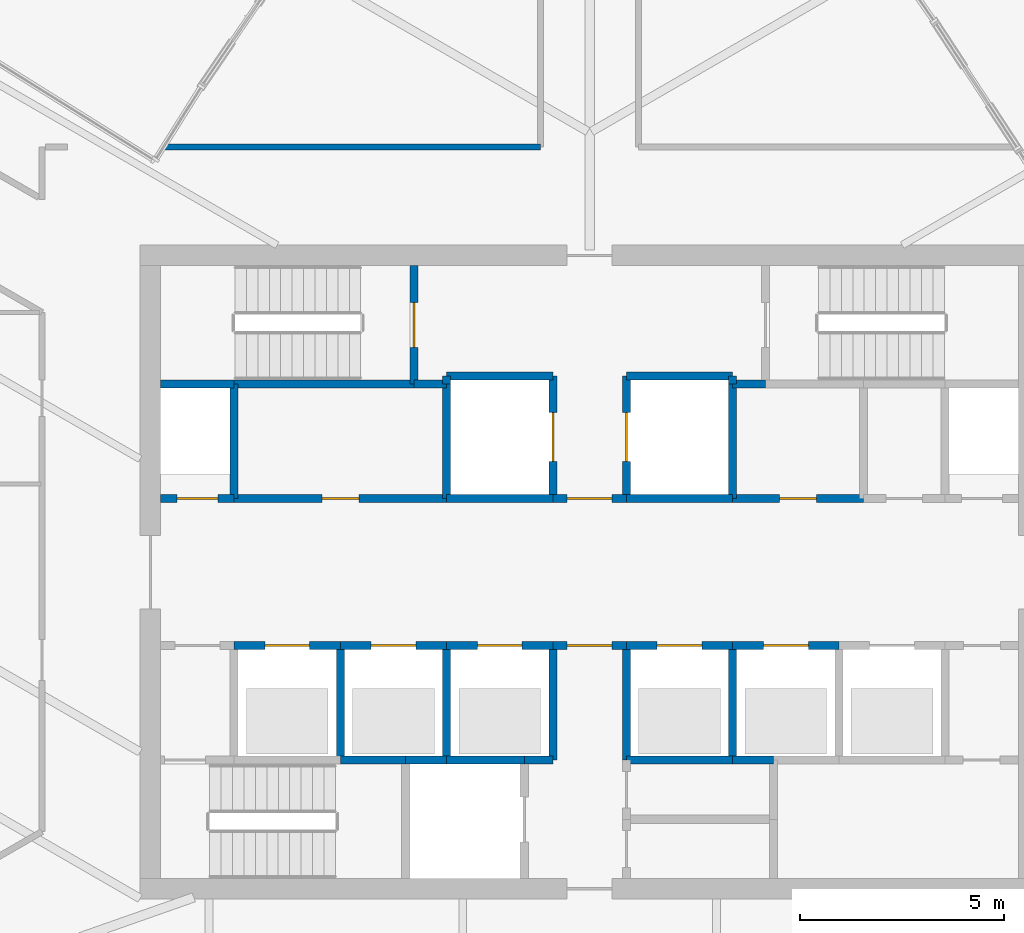
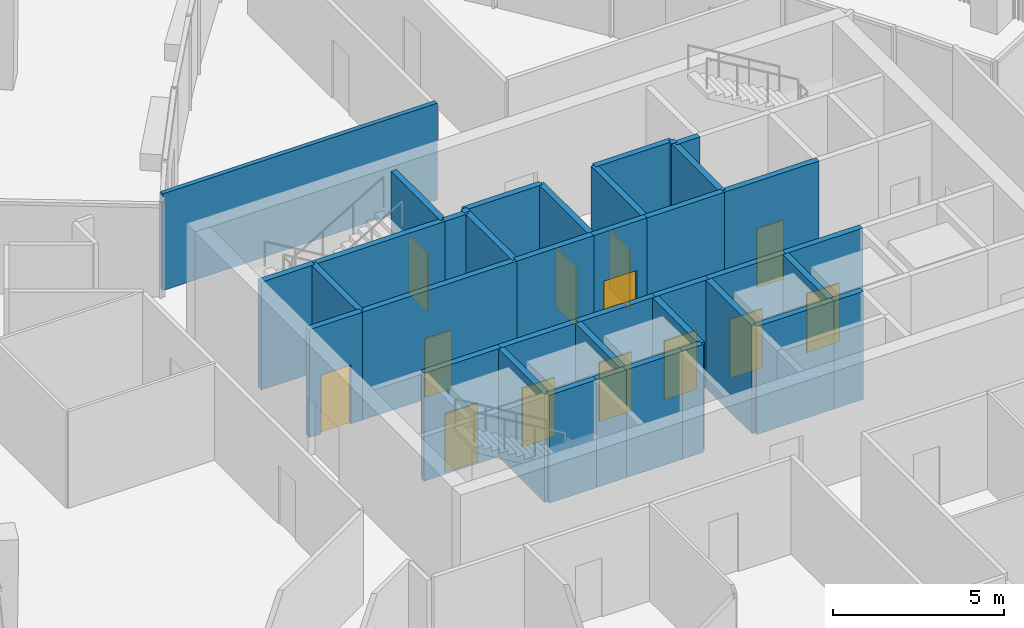
# One storey, part 11 of 18: 38 walls, 13 doors, 13 openings.
"""IFC4 building model written with IfcOpenShell, lengths in metres."""

from ifc_helpers import new_model, si_unit, direction, frame, frame_2d, origin, place, context, subcontext, project, spatial, rectangle, extrude, material, layer, layer_set, type_object, element, fill, save


model = new_model("IFC4")

# Units and contexts
model_context = context("Model", 3, precision=1e-05, world=origin(), true_north=direction((0.0, 1.0)))
body_context = subcontext(model_context, "Body", "Model", "MODEL_VIEW")
ifc_project = project(units=[si_unit("LENGTHUNIT", "METRE"), si_unit("AREAUNIT", "SQUARE_METRE"), si_unit("VOLUMEUNIT", "CUBIC_METRE"), si_unit("PLANEANGLEUNIT", "RADIAN"), si_unit("MASSUNIT", "GRAM", prefix="KILO")], contexts=[model_context])

# Site, building, storey
site_placement = place(None, origin())
site = spatial("IfcSite", under=ifc_project, at=site_placement, CompositionType="ELEMENT")
building_placement = place(site_placement, origin())
building = spatial("IfcBuilding", under=site, at=building_placement, Name="Sierra Prisma Convention Tower", CompositionType="ELEMENT")
storey_placement = place(building_placement, frame((0.0, 0.0, 307.0)))
storey = spatial("IfcBuildingStorey", under=building, at=storey_placement, Name="L70", CompositionType="ELEMENT", Elevation=307.0)

# Wall, opening, door
ifc_material_1 = material(Name="Concrete C30/37", Category="concrete")
ifc_layer_1 = layer(ifc_material_1, 0.199951171875)
ifc_layer_set_1 = layer_set([ifc_layer_1], Name="Core wall RC 200 C30/37")
wall_type_1 = type_object("IfcWallType", Name="Core wall RC 200 C30/37", PredefinedType="SOLIDWALL", material=ifc_layer_set_1)
wall_1_placement = place(storey_placement, frame((-8.699951171875, 1.800048828125, 0.0), z_axis=(0.0, 0.0, 1.0), x_axis=(-1.0, 0.0, 0.0)))
wall_1 = element("IfcWall", 1, at=wall_1_placement, inside=storey, type_object=wall_type_1, Name="Core wall L70 3", PredefinedType="SOLIDWALL", context=body_context, shape_type="SweptSolid", body=[
    extrude(rectangle(XDim=1.800048828125, YDim=0.199951171875, at=frame_2d((0.89990234375, 0.0))), origin(), (0.0, 0.0, 1.0), 3.85009765625),
])
opening_1_placement = place(wall_1_placement, frame((0.39990234375, 0.0, 0.0)))
opening_1 = element("IfcOpeningElement", 2, at=opening_1_placement, cuts=wall_1, Name="Opening L70-D015", PredefinedType="OPENING", context=body_context, shape_type="SweptSolid", body=[
    extrude(rectangle(XDim=1.0, YDim=2.10009765625, at=frame_2d((0.5, 1.050048828125))), frame((0.0, 0.10009765625, 0.0), z_axis=(0.0, -1.0, 0.0), x_axis=(1.0, 0.0, 0.0)), (0.0, 0.0, 1.0), 0.199951171875),
])
ifc_material_2 = material(Name="Steel fire door leaf", Category="steel")
door_type_1 = type_object("IfcDoorType", Name="Door 1000x2100 FD60S", OperationType="SINGLE_SWING_LEFT", PredefinedType="DOOR", material=ifc_material_2)
door_1_placement = place(opening_1_placement, origin())
door_1 = element("IfcDoor", 3, at=door_1_placement, inside=storey, type_object=door_type_1, Name="Door L70 25", OperationType="SINGLE_SWING_LEFT", OverallHeight=2.10009765625, OverallWidth=1.0, PredefinedType="DOOR", context=body_context, shape_type="SweptSolid", body=[
    extrude(rectangle(XDim=1.0, YDim=2.10009765625, at=frame_2d((0.5, 1.050048828125))), frame((0.0, 0.02490234375, 0.0), z_axis=(0.0, -1.0, 0.0), x_axis=(1.0, 0.0, 0.0)), (0.0, 0.0, 1.0), 0.050048828125),
])
fill(opening_1, door_1)

# Wall
wall_2_placement = place(storey_placement, frame((-8.699951171875, 4.60009765625, 0.0), z_axis=(0.0, 0.0, 1.0), x_axis=(-1.0, 0.0, 0.0)))
element("IfcWall", 4, at=wall_2_placement, inside=storey, type_object=wall_type_1, Name="Core wall L70 4", PredefinedType="SOLIDWALL", context=body_context, shape_type="SweptSolid", body=[
    extrude(rectangle(XDim=1.800048828125, YDim=0.199951171875, at=frame_2d((0.89990234375, 0.0))), origin(), (0.0, 0.0, 1.0), 3.85009765625),
])

# Wall, opening, door
wall_3_placement = place(storey_placement, frame((-8.699951171875, -1.800048828125, 0.0), z_axis=(0.0, 0.0, 1.0), x_axis=(1.0, 0.0, 0.0)))
wall_3 = element("IfcWall", 5, at=wall_3_placement, inside=storey, type_object=wall_type_1, Name="Core wall L70 7", PredefinedType="SOLIDWALL", context=body_context, shape_type="SweptSolid", body=[
    extrude(rectangle(XDim=2.599853515625, YDim=0.199951171875, at=frame_2d((1.2998046875, 0.0))), origin(), (0.0, 0.0, 1.0), 3.85009765625),
])
opening_2_placement = place(wall_3_placement, frame((0.75, 0.0, 0.0)))
opening_2 = element("IfcOpeningElement", 6, at=opening_2_placement, cuts=wall_3, Name="Opening L70-D003", PredefinedType="OPENING", context=body_context, shape_type="SweptSolid", body=[
    extrude(rectangle(XDim=1.10009765625, YDim=2.10009765625, at=frame_2d((0.550048828125, 1.050048828125))), frame((0.0, 0.10009765625, 0.0), z_axis=(0.0, -1.0, 0.0), x_axis=(1.0, 0.0, 0.0)), (0.0, 0.0, 1.0), 0.199951171875),
])
ifc_material_3 = material(Name="Steel fire door leaf", Category="steel")
door_type_2 = type_object("IfcDoorType", Name="Door 1100x2100 EI 90 sliding lift landing", OperationType="SLIDING_TO_LEFT", PredefinedType="DOOR", material=ifc_material_3)
door_2_placement = place(opening_2_placement, origin())
door_2 = element("IfcDoor", 7, at=door_2_placement, inside=storey, type_object=door_type_2, Name="Door L70 13", OperationType="SLIDING_TO_RIGHT", OverallHeight=2.10009765625, OverallWidth=1.10009765625, PredefinedType="DOOR", context=body_context, shape_type="SweptSolid", body=[
    extrude(rectangle(XDim=1.10009765625, YDim=2.10009765625, at=frame_2d((0.550048828125, 1.050048828125))), frame((0.0, 0.02490234375, 0.0), z_axis=(0.0, -1.0, 0.0), x_axis=(1.0, 0.0, 0.0)), (0.0, 0.0, 1.0), 0.050048828125),
])
fill(opening_2, door_2)

wall_4_placement = place(storey_placement, frame((-8.699951171875, 1.800048828125, 0.0), z_axis=(0.0, 0.0, 1.0), x_axis=(1.0, 0.0, 0.0)))
wall_4 = element("IfcWall", 8, at=wall_4_placement, inside=storey, type_object=wall_type_1, Name="Core wall L70 8", PredefinedType="SOLIDWALL", context=body_context, shape_type="SweptSolid", body=[
    extrude(rectangle(XDim=5.199951171875, YDim=0.199951171875, at=frame_2d((2.60009765625, 0.0))), origin(), (0.0, 0.0, 1.0), 3.85009765625),
])
opening_3_placement = place(wall_4_placement, frame((2.14990234375, 0.0, 0.0)))
opening_3 = element("IfcOpeningElement", 9, at=opening_3_placement, cuts=wall_4, Name="Opening L70-D022", PredefinedType="OPENING", context=body_context, shape_type="SweptSolid", body=[
    extrude(rectangle(XDim=0.89990234375, YDim=2.10009765625, at=frame_2d((0.449951171875, 1.050048828125))), frame((0.0, 0.10009765625, 0.0), z_axis=(0.0, -1.0, 0.0), x_axis=(1.0, 0.0, 0.0)), (0.0, 0.0, 1.0), 0.199951171875),
])
ifc_material_4 = material(Name="Steel fire door leaf", Category="steel")
door_type_3 = type_object("IfcDoorType", Name="Door 900x2100 FD30S", OperationType="SINGLE_SWING_LEFT", PredefinedType="DOOR", material=ifc_material_4)
door_3_placement = place(opening_3_placement, origin())
door_3 = element("IfcDoor", 10, at=door_3_placement, inside=storey, type_object=door_type_3, Name="Door L70 32", OperationType="SINGLE_SWING_LEFT", OverallHeight=2.10009765625, OverallWidth=0.89990234375, PredefinedType="DOOR", context=body_context, shape_type="SweptSolid", body=[
    extrude(rectangle(XDim=0.89990234375, YDim=2.10009765625, at=frame_2d((0.449951171875, 1.050048828125))), frame((0.0, 0.02490234375, 0.0), z_axis=(0.0, -1.0, 0.0), x_axis=(1.0, 0.0, 0.0)), (0.0, 0.0, 1.0), 0.050048828125),
])
fill(opening_3, door_3)

# Walls
wall_5_placement = place(storey_placement, frame((-8.699951171875, 4.60009765625, 0.0), z_axis=(0.0, 0.0, 1.0), x_axis=(0.0, -1.0, 0.0)))
element("IfcWall", 11, at=wall_5_placement, inside=storey, type_object=wall_type_1, Name="Core wall L70 9", PredefinedType="SOLIDWALL", context=body_context, shape_type="SweptSolid", body=[
    extrude(rectangle(XDim=2.800048828125, YDim=0.199951171875, at=frame_2d((1.39990234375, 0.0))), origin(), (0.0, 0.0, 1.0), 3.85009765625),
])
wall_6_placement = place(storey_placement, frame((-4.300048828125, 4.60009765625, 0.0), z_axis=(0.0, 0.0, 1.0), x_axis=(-1.0, 0.0, 0.0)))
element("IfcWall", 12, at=wall_6_placement, inside=storey, type_object=wall_type_1, Name="Core wall L70 10", PredefinedType="SOLIDWALL", context=body_context, shape_type="SweptSolid", body=[
    extrude(rectangle(XDim=4.39990234375, YDim=0.199951171875, at=frame_2d((2.199951171875, 0.0))), origin(), (0.0, 0.0, 1.0), 3.85009765625),
])
wall_7_placement = place(storey_placement, frame((-6.10009765625, -4.60009765625, 0.0), z_axis=(0.0, 0.0, 1.0), x_axis=(1.0, 0.0, 0.0)))
element("IfcWall", 13, at=wall_7_placement, inside=storey, type_object=wall_type_1, Name="Core wall L70 11", PredefinedType="SOLIDWALL", context=body_context, shape_type="SweptSolid", body=[
    extrude(rectangle(XDim=1.60009765625, YDim=0.199951171875, at=frame_2d((0.800048828125, 0.0))), origin(), (0.0, 0.0, 1.0), 3.85009765625),
])
wall_8_placement = place(storey_placement, frame((-6.10009765625, -4.60009765625, 0.0), z_axis=(0.0, 0.0, 1.0), x_axis=(0.0, 1.0, 0.0)))
element("IfcWall", 14, at=wall_8_placement, inside=storey, type_object=wall_type_1, Name="Core wall L70 12", PredefinedType="SOLIDWALL", context=body_context, shape_type="SweptSolid", body=[
    extrude(rectangle(XDim=2.800048828125, YDim=0.199951171875, at=frame_2d((1.39990234375, 0.0))), origin(), (0.0, 0.0, 1.0), 3.85009765625),
])

# Wall, opening, door
wall_9_placement = place(storey_placement, frame((-6.10009765625, -1.800048828125, 0.0), z_axis=(0.0, 0.0, 1.0), x_axis=(1.0, 0.0, 0.0)))
wall_9 = element("IfcWall", 15, at=wall_9_placement, inside=storey, type_object=wall_type_1, Name="Core wall L70 13", PredefinedType="SOLIDWALL", context=body_context, shape_type="SweptSolid", body=[
    extrude(rectangle(XDim=2.60009765625, YDim=0.199951171875, at=frame_2d((1.300048828125, 0.0))), origin(), (0.0, 0.0, 1.0), 3.85009765625),
])
opening_4_placement = place(wall_9_placement, frame((0.75, 0.0, 0.0)))
opening_4 = element("IfcOpeningElement", 16, at=opening_4_placement, cuts=wall_9, Name="Opening L70-D004", PredefinedType="OPENING", context=body_context, shape_type="SweptSolid", body=[
    extrude(rectangle(XDim=1.10009765625, YDim=2.10009765625, at=frame_2d((0.550048828125, 1.050048828125))), frame((0.0, 0.10009765625, 0.0), z_axis=(0.0, -1.0, 0.0), x_axis=(1.0, 0.0, 0.0)), (0.0, 0.0, 1.0), 0.199951171875),
])
door_4_placement = place(opening_4_placement, origin())
door_4 = element("IfcDoor", 17, at=door_4_placement, inside=storey, type_object=door_type_2, Name="Door L70 14", OperationType="SLIDING_TO_LEFT", OverallHeight=2.10009765625, OverallWidth=1.10009765625, PredefinedType="DOOR", context=body_context, shape_type="SweptSolid", body=[
    extrude(rectangle(XDim=1.10009765625, YDim=2.10009765625, at=frame_2d((0.550048828125, 1.050048828125))), frame((0.0, 0.02490234375, 0.0), z_axis=(0.0, -1.0, 0.0), x_axis=(1.0, 0.0, 0.0)), (0.0, 0.0, 1.0), 0.050048828125),
])
fill(opening_4, door_4)

# Walls
wall_10_placement = place(storey_placement, frame((-4.5, -4.60009765625, 0.0), z_axis=(0.0, 0.0, 1.0), x_axis=(1.0, 0.0, 0.0)))
element("IfcWall", 18, at=wall_10_placement, inside=storey, type_object=wall_type_1, Name="Core wall L70 15", PredefinedType="SOLIDWALL", context=body_context, shape_type="SweptSolid", body=[
    extrude(rectangle(XDim=1.0, YDim=0.199951171875, at=frame_2d((0.5, 0.0))), origin(), (0.0, 0.0, 1.0), 3.85009765625),
])
wall_11_placement = place(storey_placement, frame((-3.5, 4.60009765625, 0.0), z_axis=(0.0, 0.0, 1.0), x_axis=(-1.0, 0.0, 0.0)))
element("IfcWall", 19, at=wall_11_placement, inside=storey, type_object=wall_type_1, Name="Core wall L70 16", PredefinedType="SOLIDWALL", context=body_context, shape_type="SweptSolid", body=[
    extrude(rectangle(XDim=0.800048828125, YDim=0.199951171875, at=frame_2d((0.39990234375, 0.0))), origin(), (0.0, 0.0, 1.0), 3.85009765625),
])

# Wall, opening, door
wall_12_placement = place(storey_placement, frame((-4.300048828125, 4.60009765625, 0.0), z_axis=(0.0, 0.0, 1.0), x_axis=(0.0, 1.0, 0.0)))
wall_12 = element("IfcWall", 20, at=wall_12_placement, inside=storey, type_object=wall_type_1, Name="Core wall L70 17", PredefinedType="SOLIDWALL", context=body_context, shape_type="SweptSolid", body=[
    extrude(rectangle(XDim=2.89990234375, YDim=0.199951171875, at=frame_2d((1.449951171875, 0.0))), origin(), (0.0, 0.0, 1.0), 3.85009765625),
])
opening_5_placement = place(wall_12_placement, frame((0.89990234375, 0.0, 0.0)))
opening_5 = element("IfcOpeningElement", 21, at=opening_5_placement, cuts=wall_12, Name="Opening L70-D018", PredefinedType="OPENING", context=body_context, shape_type="SweptSolid", body=[
    extrude(rectangle(XDim=1.10009765625, YDim=2.10009765625, at=frame_2d((0.550048828125, 1.050048828125))), frame((0.0, 0.10009765625, 0.0), z_axis=(0.0, -1.0, 0.0), x_axis=(1.0, 0.0, 0.0)), (0.0, 0.0, 1.0), 0.199951171875),
])
ifc_material_5 = material(Name="Steel fire door leaf", Category="steel")
door_type_4 = type_object("IfcDoorType", Name="Door 1100x2100 FD90S", OperationType="SINGLE_SWING_LEFT", PredefinedType="DOOR", material=ifc_material_5)
door_5_placement = place(opening_5_placement, origin())
door_5 = element("IfcDoor", 22, at=door_5_placement, inside=storey, type_object=door_type_4, Name="Door L70 28", OperationType="SINGLE_SWING_RIGHT", OverallHeight=2.10009765625, OverallWidth=1.10009765625, PredefinedType="DOOR", context=body_context, shape_type="SweptSolid", body=[
    extrude(rectangle(XDim=1.10009765625, YDim=2.10009765625, at=frame_2d((0.550048828125, 1.050048828125))), frame((0.0, 0.02490234375, 0.0), z_axis=(0.0, -1.0, 0.0), x_axis=(1.0, 0.0, 0.0)), (0.0, 0.0, 1.0), 0.050048828125),
])
fill(opening_5, door_5)

# Walls
wall_13_placement = place(storey_placement, frame((-3.5, -4.60009765625, 0.0), z_axis=(0.0, 0.0, 1.0), x_axis=(1.0, 0.0, 0.0)))
element("IfcWall", 23, at=wall_13_placement, inside=storey, type_object=wall_type_1, Name="Core wall L70 18", PredefinedType="SOLIDWALL", context=body_context, shape_type="SweptSolid", body=[
    extrude(rectangle(XDim=1.89990234375, YDim=0.199951171875, at=frame_2d((0.949951171875, 0.0))), origin(), (0.0, 0.0, 1.0), 3.85009765625),
])
wall_14_placement = place(storey_placement, frame((-3.5, -4.60009765625, 0.0), z_axis=(0.0, 0.0, 1.0), x_axis=(0.0, 1.0, 0.0)))
element("IfcWall", 24, at=wall_14_placement, inside=storey, type_object=wall_type_1, Name="Core wall L70 19", PredefinedType="SOLIDWALL", context=body_context, shape_type="SweptSolid", body=[
    extrude(rectangle(XDim=2.800048828125, YDim=0.199951171875, at=frame_2d((1.39990234375, 0.0))), origin(), (0.0, 0.0, 1.0), 3.85009765625),
])

# Wall, opening, door
wall_15_placement = place(storey_placement, frame((-3.5, -1.800048828125, 0.0), z_axis=(0.0, 0.0, 1.0), x_axis=(1.0, 0.0, 0.0)))
wall_15 = element("IfcWall", 25, at=wall_15_placement, inside=storey, type_object=wall_type_1, Name="Core wall L70 20", PredefinedType="SOLIDWALL", context=body_context, shape_type="SweptSolid", body=[
    extrude(rectangle(XDim=2.60009765625, YDim=0.199951171875, at=frame_2d((1.300048828125, 0.0))), origin(), (0.0, 0.0, 1.0), 3.85009765625),
])
opening_6_placement = place(wall_15_placement, frame((0.75, 0.0, 0.0)))
opening_6 = element("IfcOpeningElement", 26, at=opening_6_placement, cuts=wall_15, Name="Opening L70-D005", PredefinedType="OPENING", context=body_context, shape_type="SweptSolid", body=[
    extrude(rectangle(XDim=1.10009765625, YDim=2.10009765625, at=frame_2d((0.550048828125, 1.050048828125))), frame((0.0, 0.10009765625, 0.0), z_axis=(0.0, -1.0, 0.0), x_axis=(1.0, 0.0, 0.0)), (0.0, 0.0, 1.0), 0.199951171875),
])
door_6_placement = place(opening_6_placement, origin())
door_6 = element("IfcDoor", 27, at=door_6_placement, inside=storey, type_object=door_type_2, Name="Door L70 15", OperationType="SLIDING_TO_RIGHT", OverallHeight=2.10009765625, OverallWidth=1.10009765625, PredefinedType="DOOR", context=body_context, shape_type="SweptSolid", body=[
    extrude(rectangle(XDim=1.10009765625, YDim=2.10009765625, at=frame_2d((0.550048828125, 1.050048828125))), frame((0.0, 0.02490234375, 0.0), z_axis=(0.0, -1.0, 0.0), x_axis=(1.0, 0.0, 0.0)), (0.0, 0.0, 1.0), 0.050048828125),
])
fill(opening_6, door_6)

# Walls
wall_16_placement = place(storey_placement, frame((-0.89990234375, 1.800048828125, 0.0), z_axis=(0.0, 0.0, 1.0), x_axis=(-1.0, 0.0, 0.0)))
element("IfcWall", 28, at=wall_16_placement, inside=storey, type_object=wall_type_1, Name="Core wall L70 21", PredefinedType="SOLIDWALL", context=body_context, shape_type="SweptSolid", body=[
    extrude(rectangle(XDim=2.60009765625, YDim=0.199951171875, at=frame_2d((1.300048828125, 0.0))), origin(), (0.0, 0.0, 1.0), 3.85009765625),
])
wall_17_placement = place(storey_placement, frame((-3.5, 1.800048828125, 0.0), z_axis=(0.0, 0.0, 1.0), x_axis=(0.0, 1.0, 0.0)))
element("IfcWall", 29, at=wall_17_placement, inside=storey, type_object=wall_type_1, Name="Core wall L70 22", PredefinedType="SOLIDWALL", context=body_context, shape_type="SweptSolid", body=[
    extrude(rectangle(XDim=2.800048828125, YDim=0.199951171875, at=frame_2d((1.39990234375, 0.0))), origin(), (0.0, 0.0, 1.0), 3.85009765625),
])

# Wall, opening, door
wall_18_placement = place(storey_placement, frame((-0.89990234375, 1.800048828125, 0.0), z_axis=(0.0, 0.0, 1.0), x_axis=(0.0, 1.0, 0.0)))
wall_18 = element("IfcWall", 30, at=wall_18_placement, inside=storey, type_object=wall_type_1, Name="Core wall L70 23", PredefinedType="SOLIDWALL", context=body_context, shape_type="SweptSolid", body=[
    extrude(rectangle(XDim=3.0, YDim=0.199951171875, at=frame_2d((1.5, 0.0))), origin(), (0.0, 0.0, 1.0), 3.85009765625),
])
opening_7_placement = place(wall_18_placement, frame((0.89990234375, 0.0, 0.0)))
opening_7 = element("IfcOpeningElement", 31, at=opening_7_placement, cuts=wall_18, Name="Opening L70-D009", PredefinedType="OPENING", context=body_context, shape_type="SweptSolid", body=[
    extrude(rectangle(XDim=1.199951171875, YDim=2.10009765625, at=frame_2d((0.60009765625, 1.050048828125))), frame((0.0, 0.10009765625, 0.0), z_axis=(0.0, -1.0, 0.0), x_axis=(1.0, 0.0, 0.0)), (0.0, 0.0, 1.0), 0.199951171875),
])
ifc_material_6 = material(Name="Steel fire door leaf", Category="steel")
door_type_5 = type_object("IfcDoorType", Name="Door 1200x2100 EI 90 sliding lift landing", OperationType="SLIDING_TO_LEFT", PredefinedType="DOOR", material=ifc_material_6)
door_7_placement = place(opening_7_placement, origin())
door_7 = element("IfcDoor", 32, at=door_7_placement, inside=storey, type_object=door_type_5, Name="Door L70 19", OperationType="SLIDING_TO_LEFT", OverallHeight=2.10009765625, OverallWidth=1.199951171875, PredefinedType="DOOR", context=body_context, shape_type="SweptSolid", body=[
    extrude(rectangle(XDim=1.199951171875, YDim=2.10009765625, at=frame_2d((0.60009765625, 1.050048828125))), frame((0.0, 0.02490234375, 0.0), z_axis=(0.0, -1.0, 0.0), x_axis=(1.0, 0.0, 0.0)), (0.0, 0.0, 1.0), 0.050048828125),
])
fill(opening_7, door_7)

# Walls
wall_19_placement = place(storey_placement, frame((-0.89990234375, 4.800048828125, 0.0), z_axis=(0.0, 0.0, 1.0), x_axis=(-1.0, 0.0, 0.0)))
element("IfcWall", 33, at=wall_19_placement, inside=storey, type_object=wall_type_1, Name="Core wall L70 24", PredefinedType="SOLIDWALL", context=body_context, shape_type="SweptSolid", body=[
    extrude(rectangle(XDim=2.60009765625, YDim=0.199951171875, at=frame_2d((1.300048828125, 0.0))), origin(), (0.0, 0.0, 1.0), 3.85009765625),
])
wall_20_placement = place(storey_placement, frame((-3.5, 4.800048828125, 0.0), z_axis=(0.0, 0.0, 1.0), x_axis=(0.0, -1.0, 0.0)))
element("IfcWall", 34, at=wall_20_placement, inside=storey, type_object=wall_type_1, Name="Core wall L70 25", PredefinedType="SOLIDWALL", context=body_context, shape_type="SweptSolid", body=[
    extrude(rectangle(XDim=0.199951171875, YDim=0.199951171875, at=frame_2d((0.10009765625, 0.0))), origin(), (0.0, 0.0, 1.0), 3.85009765625),
])
wall_21_placement = place(storey_placement, frame((-1.60009765625, -4.60009765625, 0.0), z_axis=(0.0, 0.0, 1.0), x_axis=(1.0, 0.0, 0.0)))
element("IfcWall", 35, at=wall_21_placement, inside=storey, type_object=wall_type_1, Name="Core wall L70 27", PredefinedType="SOLIDWALL", context=body_context, shape_type="SweptSolid", body=[
    extrude(rectangle(XDim=0.7001953125, YDim=0.199951171875, at=frame_2d((0.35009765625, 0.0))), origin(), (0.0, 0.0, 1.0), 3.85009765625),
])
wall_22_placement = place(storey_placement, frame((-0.89990234375, -4.60009765625, 0.0), z_axis=(0.0, 0.0, 1.0), x_axis=(0.0, 1.0, 0.0)))
element("IfcWall", 36, at=wall_22_placement, inside=storey, type_object=wall_type_1, Name="Core wall L70 28", PredefinedType="SOLIDWALL", context=body_context, shape_type="SweptSolid", body=[
    extrude(rectangle(XDim=2.800048828125, YDim=0.199951171875, at=frame_2d((1.39990234375, 0.0))), origin(), (0.0, 0.0, 1.0), 3.85009765625),
])

# Wall, opening, door
wall_23_placement = place(storey_placement, frame((-0.89990234375, -1.800048828125, 0.0), z_axis=(0.0, 0.0, 1.0), x_axis=(1.0, 0.0, 0.0)))
wall_23 = element("IfcWall", 37, at=wall_23_placement, inside=storey, type_object=wall_type_1, Name="Core wall L70 29", PredefinedType="SOLIDWALL", context=body_context, shape_type="SweptSolid", body=[
    extrude(rectangle(XDim=1.7998046875, YDim=0.199951171875, at=frame_2d((0.89990234375, 0.0))), origin(), (0.0, 0.0, 1.0), 3.85009765625),
])
opening_8_placement = place(wall_23_placement, frame((0.35009765625, 0.0, 0.0)))
opening_8 = element("IfcOpeningElement", 38, at=opening_8_placement, cuts=wall_23, Name="Opening L70-D014", PredefinedType="OPENING", context=body_context, shape_type="SweptSolid", body=[
    extrude(rectangle(XDim=1.10009765625, YDim=2.10009765625, at=frame_2d((0.550048828125, 1.050048828125))), frame((0.0, 0.10009765625, 0.0), z_axis=(0.0, -1.0, 0.0), x_axis=(1.0, 0.0, 0.0)), (0.0, 0.0, 1.0), 0.199951171875),
])
ifc_material_7 = material(Name="Steel fire door leaf", Category="steel")
door_type_6 = type_object("IfcDoorType", Name="Door 1100x2100 FD30S", OperationType="SINGLE_SWING_LEFT", PredefinedType="DOOR", material=ifc_material_7)
door_8_placement = place(opening_8_placement, origin())
door_8 = element("IfcDoor", 39, at=door_8_placement, inside=storey, type_object=door_type_6, Name="Door L70 24", OperationType="SINGLE_SWING_RIGHT", OverallHeight=2.10009765625, OverallWidth=1.10009765625, PredefinedType="DOOR", context=body_context, shape_type="SweptSolid", body=[
    extrude(rectangle(XDim=1.10009765625, YDim=2.10009765625, at=frame_2d((0.550048828125, 1.050048828125))), frame((0.0, 0.02490234375, 0.0), z_axis=(0.0, -1.0, 0.0), x_axis=(1.0, 0.0, 0.0)), (0.0, 0.0, 1.0), 0.050048828125),
])
fill(opening_8, door_8)

wall_24_placement = place(storey_placement, frame((0.89990234375, 1.800048828125, 0.0), z_axis=(0.0, 0.0, 1.0), x_axis=(-1.0, 0.0, 0.0)))
wall_24 = element("IfcWall", 40, at=wall_24_placement, inside=storey, type_object=wall_type_1, Name="Core wall L70 30", PredefinedType="SOLIDWALL", context=body_context, shape_type="SweptSolid", body=[
    extrude(rectangle(XDim=1.7998046875, YDim=0.199951171875, at=frame_2d((0.89990234375, 0.0))), origin(), (0.0, 0.0, 1.0), 3.85009765625),
])
opening_9_placement = place(wall_24_placement, frame((0.35009765625, 0.0, 0.0)))
opening_9 = element("IfcOpeningElement", 41, at=opening_9_placement, cuts=wall_24, Name="Opening L70-D013", PredefinedType="OPENING", context=body_context, shape_type="SweptSolid", body=[
    extrude(rectangle(XDim=1.10009765625, YDim=2.10009765625, at=frame_2d((0.550048828125, 1.050048828125))), frame((0.0, 0.10009765625, 0.0), z_axis=(0.0, -1.0, 0.0), x_axis=(1.0, 0.0, 0.0)), (0.0, 0.0, 1.0), 0.199951171875),
])
ifc_material_8 = material(Name="Steel fire door leaf", Category="steel")
door_type_7 = type_object("IfcDoorType", Name="Door 1100x2100 FD60S", OperationType="SINGLE_SWING_LEFT", PredefinedType="DOOR", material=ifc_material_8)
door_9_placement = place(opening_9_placement, origin())
door_9 = element("IfcDoor", 42, at=door_9_placement, inside=storey, type_object=door_type_7, Name="Door L70 23", OperationType="SINGLE_SWING_LEFT", OverallHeight=2.10009765625, OverallWidth=1.10009765625, PredefinedType="DOOR", context=body_context, shape_type="SweptSolid", body=[
    extrude(rectangle(XDim=1.10009765625, YDim=2.10009765625, at=frame_2d((0.550048828125, 1.050048828125))), frame((0.0, 0.02490234375, 0.0), z_axis=(0.0, -1.0, 0.0), x_axis=(1.0, 0.0, 0.0)), (0.0, 0.0, 1.0), 0.050048828125),
])
fill(opening_9, door_9)

# Walls
wall_25_placement = place(storey_placement, frame((3.5, -4.60009765625, 0.0), z_axis=(0.0, 0.0, 1.0), x_axis=(-1.0, 0.0, 0.0)))
element("IfcWall", 43, at=wall_25_placement, inside=storey, type_object=wall_type_1, Name="Core wall L70 34", PredefinedType="SOLIDWALL", context=body_context, shape_type="SweptSolid", body=[
    extrude(rectangle(XDim=2.60009765625, YDim=0.199951171875, at=frame_2d((1.300048828125, 0.0))), origin(), (0.0, 0.0, 1.0), 3.85009765625),
])
wall_26_placement = place(storey_placement, frame((0.89990234375, -1.800048828125, 0.0), z_axis=(0.0, 0.0, 1.0), x_axis=(0.0, -1.0, 0.0)))
element("IfcWall", 44, at=wall_26_placement, inside=storey, type_object=wall_type_1, Name="Core wall L70 35", PredefinedType="SOLIDWALL", context=body_context, shape_type="SweptSolid", body=[
    extrude(rectangle(XDim=2.800048828125, YDim=0.199951171875, at=frame_2d((1.39990234375, 0.0))), origin(), (0.0, 0.0, 1.0), 3.85009765625),
])

# Wall, opening, door
wall_27_placement = place(storey_placement, frame((0.89990234375, -1.800048828125, 0.0), z_axis=(0.0, 0.0, 1.0), x_axis=(1.0, 0.0, 0.0)))
wall_27 = element("IfcWall", 45, at=wall_27_placement, inside=storey, type_object=wall_type_1, Name="Core wall L70 36", PredefinedType="SOLIDWALL", context=body_context, shape_type="SweptSolid", body=[
    extrude(rectangle(XDim=2.60009765625, YDim=0.199951171875, at=frame_2d((1.300048828125, 0.0))), origin(), (0.0, 0.0, 1.0), 3.85009765625),
])
opening_10_placement = place(wall_27_placement, frame((0.75, 0.0, 0.0)))
opening_10 = element("IfcOpeningElement", 46, at=opening_10_placement, cuts=wall_27, Name="Opening L70-D006", PredefinedType="OPENING", context=body_context, shape_type="SweptSolid", body=[
    extrude(rectangle(XDim=1.10009765625, YDim=2.10009765625, at=frame_2d((0.550048828125, 1.050048828125))), frame((0.0, 0.10009765625, 0.0), z_axis=(0.0, -1.0, 0.0), x_axis=(1.0, 0.0, 0.0)), (0.0, 0.0, 1.0), 0.199951171875),
])
door_10_placement = place(opening_10_placement, origin())
door_10 = element("IfcDoor", 47, at=door_10_placement, inside=storey, type_object=door_type_2, Name="Door L70 16", OperationType="SLIDING_TO_LEFT", OverallHeight=2.10009765625, OverallWidth=1.10009765625, PredefinedType="DOOR", context=body_context, shape_type="SweptSolid", body=[
    extrude(rectangle(XDim=1.10009765625, YDim=2.10009765625, at=frame_2d((0.550048828125, 1.050048828125))), frame((0.0, 0.02490234375, 0.0), z_axis=(0.0, -1.0, 0.0), x_axis=(1.0, 0.0, 0.0)), (0.0, 0.0, 1.0), 0.050048828125),
])
fill(opening_10, door_10)

# Walls
wall_28_placement = place(storey_placement, frame((3.5, 1.800048828125, 0.0), z_axis=(0.0, 0.0, 1.0), x_axis=(-1.0, 0.0, 0.0)))
element("IfcWall", 48, at=wall_28_placement, inside=storey, type_object=wall_type_1, Name="Core wall L70 37", PredefinedType="SOLIDWALL", context=body_context, shape_type="SweptSolid", body=[
    extrude(rectangle(XDim=2.60009765625, YDim=0.199951171875, at=frame_2d((1.300048828125, 0.0))), origin(), (0.0, 0.0, 1.0), 3.85009765625),
])
wall_29_placement = place(storey_placement, frame((3.5, 4.60009765625, 0.0), z_axis=(0.0, 0.0, 1.0), x_axis=(0.0, 1.0, 0.0)))
element("IfcWall", 49, at=wall_29_placement, inside=storey, type_object=wall_type_1, Name="Core wall L70 38", PredefinedType="SOLIDWALL", context=body_context, shape_type="SweptSolid", body=[
    extrude(rectangle(XDim=0.199951171875, YDim=0.199951171875, at=frame_2d((0.10009765625, 0.0))), origin(), (0.0, 0.0, 1.0), 3.85009765625),
])
wall_30_placement = place(storey_placement, frame((3.5, 4.800048828125, 0.0), z_axis=(0.0, 0.0, 1.0), x_axis=(-1.0, 0.0, 0.0)))
element("IfcWall", 50, at=wall_30_placement, inside=storey, type_object=wall_type_1, Name="Core wall L70 39", PredefinedType="SOLIDWALL", context=body_context, shape_type="SweptSolid", body=[
    extrude(rectangle(XDim=2.60009765625, YDim=0.199951171875, at=frame_2d((1.300048828125, 0.0))), origin(), (0.0, 0.0, 1.0), 3.85009765625),
])

# Wall, opening, door
wall_31_placement = place(storey_placement, frame((0.89990234375, 4.800048828125, 0.0), z_axis=(0.0, 0.0, 1.0), x_axis=(0.0, -1.0, 0.0)))
wall_31 = element("IfcWall", 51, at=wall_31_placement, inside=storey, type_object=wall_type_1, Name="Core wall L70 40", PredefinedType="SOLIDWALL", context=body_context, shape_type="SweptSolid", body=[
    extrude(rectangle(XDim=3.0, YDim=0.199951171875, at=frame_2d((1.5, 0.0))), origin(), (0.0, 0.0, 1.0), 3.85009765625),
])
opening_11_placement = place(wall_31_placement, frame((0.89990234375, 0.0, 0.0)))
opening_11 = element("IfcOpeningElement", 52, at=opening_11_placement, cuts=wall_31, Name="Opening L70-D010", PredefinedType="OPENING", context=body_context, shape_type="SweptSolid", body=[
    extrude(rectangle(XDim=1.199951171875, YDim=2.10009765625, at=frame_2d((0.60009765625, 1.050048828125))), frame((0.0, 0.10009765625, 0.0), z_axis=(0.0, -1.0, 0.0), x_axis=(1.0, 0.0, 0.0)), (0.0, 0.0, 1.0), 0.199951171875),
])
door_11_placement = place(opening_11_placement, origin())
door_11 = element("IfcDoor", 53, at=door_11_placement, inside=storey, type_object=door_type_5, Name="Door L70 20", OperationType="SLIDING_TO_RIGHT", OverallHeight=2.10009765625, OverallWidth=1.199951171875, PredefinedType="DOOR", context=body_context, shape_type="SweptSolid", body=[
    extrude(rectangle(XDim=1.199951171875, YDim=2.10009765625, at=frame_2d((0.60009765625, 1.050048828125))), frame((0.0, 0.02490234375, 0.0), z_axis=(0.0, -1.0, 0.0), x_axis=(1.0, 0.0, 0.0)), (0.0, 0.0, 1.0), 0.050048828125),
])
fill(opening_11, door_11)

# Walls
wall_32_placement = place(storey_placement, frame((4.5, -4.60009765625, 0.0), z_axis=(0.0, 0.0, 1.0), x_axis=(-1.0, 0.0, 0.0)))
element("IfcWall", 54, at=wall_32_placement, inside=storey, type_object=wall_type_1, Name="Core wall L70 41", PredefinedType="SOLIDWALL", context=body_context, shape_type="SweptSolid", body=[
    extrude(rectangle(XDim=1.0, YDim=0.199951171875, at=frame_2d((0.5, 0.0))), origin(), (0.0, 0.0, 1.0), 3.85009765625),
])
wall_33_placement = place(storey_placement, frame((3.5, -4.60009765625, 0.0), z_axis=(0.0, 0.0, 1.0), x_axis=(0.0, 1.0, 0.0)))
element("IfcWall", 55, at=wall_33_placement, inside=storey, type_object=wall_type_1, Name="Core wall L70 42", PredefinedType="SOLIDWALL", context=body_context, shape_type="SweptSolid", body=[
    extrude(rectangle(XDim=2.800048828125, YDim=0.199951171875, at=frame_2d((1.39990234375, 0.0))), origin(), (0.0, 0.0, 1.0), 3.85009765625),
])

# Wall, opening, door
wall_34_placement = place(storey_placement, frame((3.5, -1.800048828125, 0.0), z_axis=(0.0, 0.0, 1.0), x_axis=(1.0, 0.0, 0.0)))
wall_34 = element("IfcWall", 56, at=wall_34_placement, inside=storey, type_object=wall_type_1, Name="Core wall L70 43", PredefinedType="SOLIDWALL", context=body_context, shape_type="SweptSolid", body=[
    extrude(rectangle(XDim=2.60009765625, YDim=0.199951171875, at=frame_2d((1.300048828125, 0.0))), origin(), (0.0, 0.0, 1.0), 3.85009765625),
])
opening_12_placement = place(wall_34_placement, frame((0.75, 0.0, 0.0)))
opening_12 = element("IfcOpeningElement", 57, at=opening_12_placement, cuts=wall_34, Name="Opening L70-D007", PredefinedType="OPENING", context=body_context, shape_type="SweptSolid", body=[
    extrude(rectangle(XDim=1.10009765625, YDim=2.10009765625, at=frame_2d((0.550048828125, 1.050048828125))), frame((0.0, 0.10009765625, 0.0), z_axis=(0.0, -1.0, 0.0), x_axis=(1.0, 0.0, 0.0)), (0.0, 0.0, 1.0), 0.199951171875),
])
door_12_placement = place(opening_12_placement, origin())
door_12 = element("IfcDoor", 58, at=door_12_placement, inside=storey, type_object=door_type_2, Name="Door L70 17", OperationType="SLIDING_TO_RIGHT", OverallHeight=2.10009765625, OverallWidth=1.10009765625, PredefinedType="DOOR", context=body_context, shape_type="SweptSolid", body=[
    extrude(rectangle(XDim=1.10009765625, YDim=2.10009765625, at=frame_2d((0.550048828125, 1.050048828125))), frame((0.0, 0.02490234375, 0.0), z_axis=(0.0, -1.0, 0.0), x_axis=(1.0, 0.0, 0.0)), (0.0, 0.0, 1.0), 0.050048828125),
])
fill(opening_12, door_12)

wall_35_placement = place(storey_placement, frame((3.5, 1.800048828125, 0.0), z_axis=(0.0, 0.0, 1.0), x_axis=(1.0, 0.0, 0.0)))
wall_35 = element("IfcWall", 59, at=wall_35_placement, inside=storey, type_object=wall_type_1, Name="Core wall L70 44", PredefinedType="SOLIDWALL", context=body_context, shape_type="SweptSolid", body=[
    extrude(rectangle(XDim=3.199951171875, YDim=0.199951171875, at=frame_2d((1.60009765625, 0.0))), origin(), (0.0, 0.0, 1.0), 3.85009765625),
])
opening_13_placement = place(wall_35_placement, frame((1.14990234375, 0.0, 0.0)))
opening_13 = element("IfcOpeningElement", 60, at=opening_13_placement, cuts=wall_35, Name="Opening L70-D020", PredefinedType="OPENING", context=body_context, shape_type="SweptSolid", body=[
    extrude(rectangle(XDim=0.89990234375, YDim=2.10009765625, at=frame_2d((0.449951171875, 1.050048828125))), frame((0.0, 0.10009765625, 0.0), z_axis=(0.0, -1.0, 0.0), x_axis=(1.0, 0.0, 0.0)), (0.0, 0.0, 1.0), 0.199951171875),
])
door_13_placement = place(opening_13_placement, origin())
door_13 = element("IfcDoor", 61, at=door_13_placement, inside=storey, type_object=door_type_3, Name="Door L70 30", OperationType="SINGLE_SWING_RIGHT", OverallHeight=2.10009765625, OverallWidth=0.89990234375, PredefinedType="DOOR", context=body_context, shape_type="SweptSolid", body=[
    extrude(rectangle(XDim=0.89990234375, YDim=2.10009765625, at=frame_2d((0.449951171875, 1.050048828125))), frame((0.0, 0.02490234375, 0.0), z_axis=(0.0, -1.0, 0.0), x_axis=(1.0, 0.0, 0.0)), (0.0, 0.0, 1.0), 0.050048828125),
])
fill(opening_13, door_13)

# Walls
wall_36_placement = place(storey_placement, frame((3.5, 4.60009765625, 0.0), z_axis=(0.0, 0.0, 1.0), x_axis=(0.0, -1.0, 0.0)))
element("IfcWall", 62, at=wall_36_placement, inside=storey, type_object=wall_type_1, Name="Core wall L70 45", PredefinedType="SOLIDWALL", context=body_context, shape_type="SweptSolid", body=[
    extrude(rectangle(XDim=2.800048828125, YDim=0.199951171875, at=frame_2d((1.39990234375, 0.0))), origin(), (0.0, 0.0, 1.0), 3.85009765625),
])
wall_37_placement = place(storey_placement, frame((4.300048828125, 4.60009765625, 0.0), z_axis=(0.0, 0.0, 1.0), x_axis=(-1.0, 0.0, 0.0)))
element("IfcWall", 63, at=wall_37_placement, inside=storey, type_object=wall_type_1, Name="Core wall L70 46", PredefinedType="SOLIDWALL", context=body_context, shape_type="SweptSolid", body=[
    extrude(rectangle(XDim=0.800048828125, YDim=0.199951171875, at=frame_2d((0.39990234375, 0.0))), origin(), (0.0, 0.0, 1.0), 3.85009765625),
])
ifc_material_9 = material(Name="Gypsum board partition", Category="gypsum")
ifc_layer_2 = layer(ifc_material_9, 0.14990234375)
ifc_layer_set_2 = layer_set([ifc_layer_2], Name="Corridor wall 150 gypsum EI 60")
wall_type_2 = type_object("IfcWallType", Name="Corridor wall 150 gypsum EI 60", PredefinedType="PARTITIONING", material=ifc_layer_set_2)
wall_38_placement = place(storey_placement, frame((-1.199951171875, 10.39990234375, 0.0), z_axis=(0.0, 0.0, 1.0), x_axis=(-1.0, 0.0, 0.0)))
element("IfcWall", 64, at=wall_38_placement, inside=storey, type_object=wall_type_2, Name="Partition L70 corr 14", PredefinedType="PARTITIONING", context=body_context, shape_type="SweptSolid", body=[
    extrude(rectangle(XDim=9.251220703125, YDim=0.14990234375, at=frame_2d((4.62548828125, 0.0))), origin(), (0.0, 0.0, 1.0), 3.449951171875),
])

save(model, "model.ifc")
